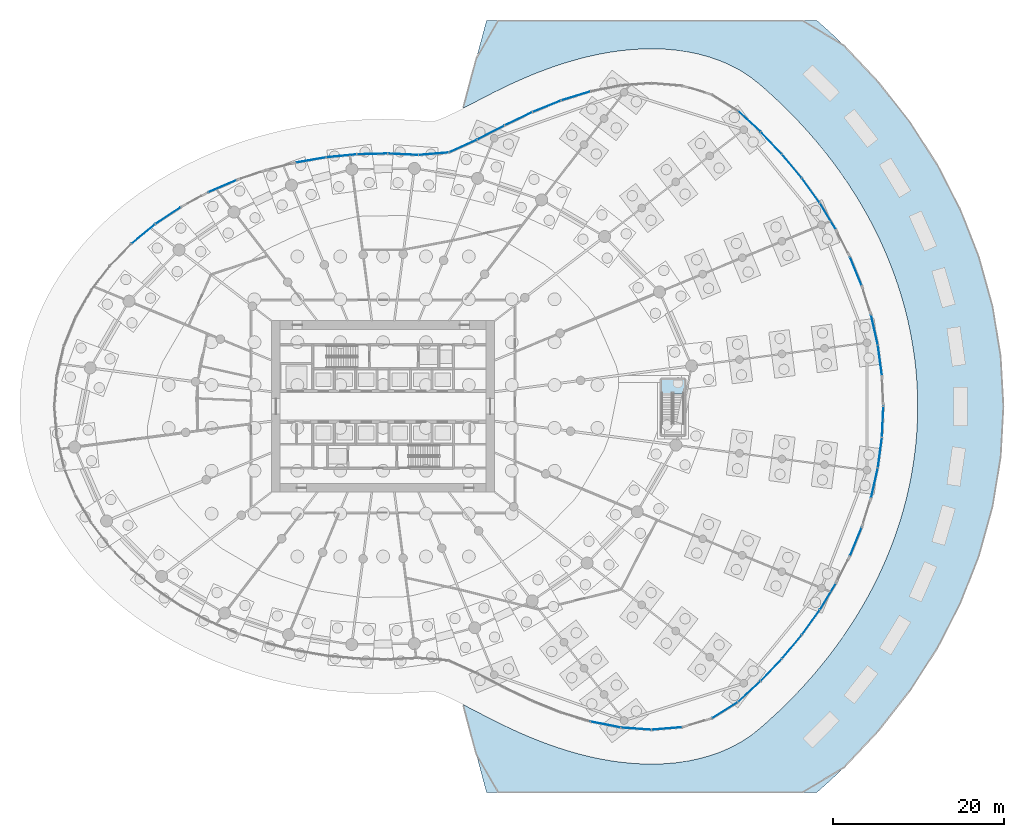
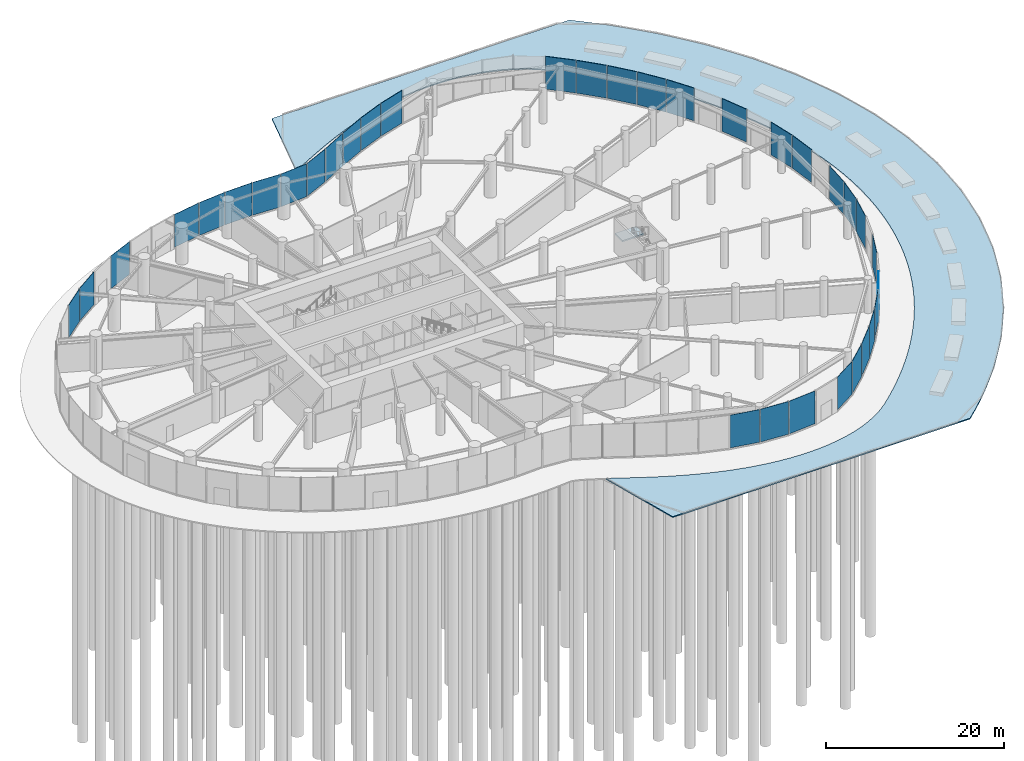
# One storey, part 15 of 28: 34 plates, 2 slabs, 10 elements without a shape of their own.
"""IFC4 building model written with IfcOpenShell, lengths in metres."""

from ifc_helpers import new_model, si_unit, direction, frame, origin, origin_2d, place, context, subcontext, project, spatial, line, indexed_curve, rectangle, outline, extrude, source, transform, mapped, material, layer, layer_set, type_object, element, aggregate, save


model = new_model("IFC4")

# Units and contexts
model_context = context("Model", 3, precision=1e-05, world=origin(), true_north=direction((0.0, 1.0)))
body_context = subcontext(model_context, "Body", "Model", "MODEL_VIEW")
ifc_project = project(units=[si_unit("LENGTHUNIT", "METRE"), si_unit("AREAUNIT", "SQUARE_METRE"), si_unit("VOLUMEUNIT", "CUBIC_METRE"), si_unit("PLANEANGLEUNIT", "RADIAN"), si_unit("MASSUNIT", "GRAM", prefix="KILO")], contexts=[model_context])

# Site, building, storey
site_placement = place(None, origin())
site = spatial("IfcSite", under=ifc_project, at=site_placement, CompositionType="ELEMENT")
building_placement = place(site_placement, origin())
building = spatial("IfcBuilding", under=site, at=building_placement, Name="Spindrift Exchange Tower", CompositionType="ELEMENT")
storey_placement = place(building_placement, origin())
storey = spatial("IfcBuildingStorey", under=building, at=storey_placement, Name="L00", CompositionType="ELEMENT", Elevation=0.0)

# Slab
ifc_material_1 = material(Name="Concrete 32 MPa precast paving", Category="concrete")
ifc_layer_1 = layer(ifc_material_1, 0.14990234375)
ifc_layer_set_1 = layer_set([ifc_layer_1], Name="GARDEN PAVING 150")
slab_type_1 = type_object("IfcSlabType", Name="GARDEN PAVING 150", PredefinedType="USERDEFINED", material=ifc_layer_set_1)
slab_1_placement = place(storey_placement, frame((0.0, 0.0, -0.14990234375)))
element("IfcSlab", 1, at=slab_1_placement, inside=storey, type_object=slab_type_1, Name="L00 Public Garden Paving 1", ObjectType="PAVING", PredefinedType="USERDEFINED", context=body_context, shape_type="SweptSolid", body=[
    extrude(outline(indexed_curve([(102.612548828125, 93.0), (104.21240234375, 91.574951171875), (105.090576171875, 90.75341796875), (105.95703125, 89.914306640625), (106.814697265625, 89.053955078125), (107.659912109375, 88.17529296875), (108.494384765625, 87.27587890625), (109.953369140625, 85.62060546875), (110.75, 84.66796875), (111.53076171875, 83.697509765625), (112.298828125, 82.704345703125), (113.048583984375, 81.69482421875), (113.783447265625, 80.663818359375), (114.50048828125, 79.61328125), (115.354736328125, 78.299560546875), (116.03173828125, 77.20361328125), (116.688232421875, 76.08935546875), (117.324462890625, 74.95556640625), (117.79736328125, 74.073486328125), (118.39306640625, 72.9091796875), (118.965087890625, 71.72802734375), (119.64111328125, 70.23779296875), (120.158203125, 69.0166015625), (120.650634765625, 67.775634765625), (121.114501953125, 66.52197265625), (121.44580078125, 65.566650390625), (121.859375, 64.28955078125), (122.243896484375, 62.997314453125), (122.6826171875, 61.362548828125), (122.998291015625, 60.043212890625), (123.282470703125, 58.71142578125), (123.533935546875, 57.37158203125), (123.69970703125, 56.36865234375), (123.9375, 54.667236328125), (124.0888671875, 53.304931640625), (124.178955078125, 52.291015625), (124.288330078125, 50.56787109375), (124.3359375, 49.195556640625), (124.348876953125, 48.17724609375), (124.326904296875, 46.44970703125), (124.270263671875, 45.077392578125), (124.178955078125, 43.708984375), (124.0888671875, 42.695068359375), (123.9375, 41.332763671875), (123.69970703125, 39.63134765625), (123.533935546875, 38.62841796875), (123.282470703125, 37.28857421875), (122.998291015625, 35.956787109375), (122.6826171875, 34.637451171875), (122.243896484375, 33.002685546875), (121.859375, 31.71044921875), (121.44580078125, 30.433349609375), (121.114501953125, 29.47802734375), (120.650634765625, 28.224365234375), (120.158203125, 26.9833984375), (119.64111328125, 25.76220703125), (119.09814453125, 24.556640625), (118.39306640625, 23.0908203125), (117.938720703125, 22.197265625), (117.324462890625, 21.04443359375), (116.539794921875, 19.654052734375), (115.879638671875, 18.545654296875), (115.354736328125, 17.700439453125), (114.658203125, 16.6240234375), (113.783447265625, 15.336181640625), (112.46240234375, 13.51220703125), (111.53076171875, 12.302490234375), (110.123779296875, 10.580078125), (109.144775390625, 9.448486328125), (107.659912109375, 7.82470703125), (106.6396484375, 6.76806640625), (105.090576171875, 5.24658203125), (104.036376953125, 4.263671875), (102.612548828125, 3.0), (64.0576171875, 3.0), (61.315185546875, 13.234619140625), (64.90771484375, 11.376708984375), (66.900390625, 10.41162109375), (67.93408203125, 9.942138671875), (68.92431640625, 9.51416015625), (70.02001953125, 9.067626953125), (71.1474609375, 8.638916015625), (72.304931640625, 8.232421875), (73.489990234375, 7.852783203125), (74.69970703125, 7.504638671875), (75.931396484375, 7.19189453125), (77.181884765625, 6.9189453125), (78.448486328125, 6.689697265625), (79.728271484375, 6.50830078125), (81.189697265625, 6.364990234375), (82.495361328125, 6.297607421875), (83.8046875, 6.290771484375), (84.90478515625, 6.3349609375), (86.194580078125, 6.44873046875), (87.7080078125, 6.6748046875), (88.739990234375, 6.891357421875), (89.98583984375, 7.228515625), (91.206787109375, 7.648681640625), (91.4775390625, 7.75537109375), (92.3955078125, 8.15576171875), (93.545654296875, 8.75439453125), (93.833251953125, 8.92333984375), (94.648193359375, 9.448974609375), (94.93798828125, 9.654541015625), (95.86279296875, 10.38232421875), (96.632568359375, 11.05322265625), (98.095458984375, 12.39404296875), (98.887939453125, 13.158935546875), (100.293212890625, 14.58837890625), (101.004150390625, 15.350830078125), (101.75244140625, 16.184326171875), (102.439697265625, 16.979736328125), (103.727294921875, 18.555908203125), (104.37548828125, 19.396484375), (105.054931640625, 20.3154296875), (106.2294921875, 22.007080078125), (106.860107421875, 22.97705078125), (107.428466796875, 23.893798828125), (107.97900390625, 24.82470703125), (108.469970703125, 25.69482421875), (108.984375, 26.652099609375), (109.479248046875, 27.623291015625), (109.95361328125, 28.60693359375), (110.443603515625, 29.68701171875), (110.87353515625, 30.697509765625), (111.28173828125, 31.720947265625), (111.635009765625, 32.6669921875), (111.997802734375, 33.710205078125), (112.364990234375, 34.85498046875), (112.677001953125, 35.91943359375), (112.964111328125, 36.993408203125), (113.22509765625, 38.074951171875), (113.4599609375, 39.164306640625), (113.650390625, 40.162353515625), (113.833740234375, 41.26318359375), (113.98974609375, 42.369384765625), (114.117919921875, 43.479736328125), (114.21826171875, 44.593994140625), (114.290283203125, 45.710693359375), (114.334228515625, 46.82958984375), (114.349609375, 47.94921875), (114.3369140625, 49.069091796875), (114.29541015625, 50.187744140625), (114.225830078125, 51.305419921875), (114.117919921875, 52.520263671875), (113.98974609375, 53.630615234375), (113.833740234375, 54.73681640625), (113.650390625, 55.837646484375), (113.4599609375, 56.835693359375), (113.22509765625, 57.925048828125), (112.964111328125, 59.006591796875), (112.677001953125, 60.08056640625), (112.364990234375, 61.14501953125), (111.997802734375, 62.289794921875), (111.635009765625, 63.3330078125), (111.28173828125, 64.279052734375), (110.87353515625, 65.302490234375), (110.443603515625, 66.31298828125), (109.95361328125, 67.39306640625), (109.479248046875, 68.376708984375), (108.984375, 69.347900390625), (108.469970703125, 70.30517578125), (107.97900390625, 71.17529296875), (107.428466796875, 72.106201171875), (106.860107421875, 73.02294921875), (106.2294921875, 73.992919921875), (105.054931640625, 75.6845703125), (104.37548828125, 76.603515625), (103.727294921875, 77.444091796875), (102.439697265625, 79.020263671875), (101.75244140625, 79.815673828125), (101.004150390625, 80.649169921875), (100.293212890625, 81.41162109375), (98.887939453125, 82.841064453125), (98.095458984375, 83.60595703125), (96.632568359375, 84.94677734375), (95.86279296875, 85.61767578125), (94.93798828125, 86.345458984375), (94.648193359375, 86.551025390625), (93.833251953125, 87.07666015625), (93.545654296875, 87.24560546875), (92.3955078125, 87.84423828125), (91.4775390625, 88.24462890625), (91.206787109375, 88.351318359375), (89.98583984375, 88.771484375), (88.739990234375, 89.108642578125), (87.7080078125, 89.3251953125), (86.194580078125, 89.55126953125), (84.90478515625, 89.6650390625), (83.8046875, 89.709228515625), (82.495361328125, 89.702392578125), (81.189697265625, 89.635009765625), (79.728271484375, 89.49169921875), (78.448486328125, 89.310302734375), (77.181884765625, 89.0810546875), (75.931396484375, 88.80810546875), (74.69970703125, 88.495361328125), (73.489990234375, 88.147216796875), (72.304931640625, 87.767578125), (71.1474609375, 87.361083984375), (70.02001953125, 86.932373046875), (68.92431640625, 86.48583984375), (67.93408203125, 86.057861328125), (66.900390625, 85.58837890625), (64.90771484375, 84.623291015625), (61.315185546875, 82.765380859375), (64.0576171875, 93.0)], segments=[line(1, 2, 3, 4, 5, 6, 7, 8, 9, 10, 11, 12, 13, 14, 15, 16, 17, 18, 19, 20, 21, 22, 23, 24, 25, 26, 27, 28, 29, 30, 31, 32, 33, 34, 35, 36, 37, 38, 39, 40, 41, 42, 43, 44, 45, 46, 47, 48, 49, 50, 51, 52, 53, 54, 55, 56, 57, 58, 59, 60, 61, 62, 63, 64, 65, 66, 67, 68, 69, 70, 71, 72, 73, 74, 75, 76, 77, 78, 79, 80, 81, 82, 83, 84, 85, 86, 87, 88, 89, 90, 91, 92, 93, 94, 95, 96, 97, 98, 99, 100, 101, 102, 103, 104, 105, 106, 107, 108, 109, 110, 111, 112, 113, 114, 115, 116, 117, 118, 119, 120, 121, 122, 123, 124, 125, 126, 127, 128, 129, 130, 131, 132, 133, 134, 135, 136, 137, 138, 139, 140, 141, 142, 143, 144, 145, 146, 147, 148, 149, 150, 151, 152, 153, 154, 155, 156, 157, 158, 159, 160, 161, 162, 163, 164, 165, 166, 167, 168, 169, 170, 171, 172, 173, 174, 175, 176, 177, 178, 179, 180, 181, 182, 183, 184, 185, 186, 187, 188, 189, 190, 191, 192, 193, 194, 195, 196, 197, 198, 199, 200, 201, 202, 203, 204, 205, 206, 207, 1)], self_intersect=False)), origin(), (0.0, 0.0, 1.0), 0.14990234375),
])

# Stair, slab
ifc_material_2 = material(Name="Concrete 50 MPa", Category="concrete")
stair_type = type_object("IfcStairType", Name="ST-1250-R179", PredefinedType="HALF_TURN_STAIR", material=ifc_material_2)
stair_placement = place(storey_placement, origin())
stair = element("IfcStair", 2, at=stair_placement, inside=storey, type_object=stair_type, Name="L00 Exit stair ST5", PredefinedType="HALF_TURN_STAIR")
ifc_layer_2 = layer(ifc_material_2, 0.199951171875)
ifc_layer_set_2 = layer_set([ifc_layer_2], Name="SL-LANDING")
slab_type_2 = type_object("IfcSlabType", Name="SL-LANDING", PredefinedType="LANDING", material=ifc_layer_set_2)
slab_2_placement = place(storey_placement, frame((0.0, 0.0, 2.300048828125)))
slab_2 = element("IfcSlab", 3, at=slab_2_placement, type_object=slab_type_2, Name="ST5 landing 1", PredefinedType="LANDING", context=body_context, shape_type="SweptSolid", body=[
    extrude(outline(indexed_curve([(84.39990234375, 49.510009765625), (84.39990234375, 51.199951171875), (87.199951171875, 51.199951171875), (87.199951171875, 49.510009765625)], segments=[line(1, 2, 3, 4, 1)], self_intersect=False)), origin(), (0.0, 0.0, 1.0), 0.199951171875),
])
aggregate(stair, [slab_2])

# Curtain wall, plate
ifc_material_3 = material(Name="Fritted laminated glass with bronze frame", Category="glass")
ifc_layer_3 = layer(ifc_material_3, 0.219970703125)
ifc_layer_set_3 = layer_set([ifc_layer_3], Name="PODIUM BRONZE GLAZED WALL")
curtain_wall_type = type_object("IfcCurtainWallType", Name="PODIUM BRONZE GLAZED WALL", PredefinedType="NOTDEFINED", material=ifc_layer_set_3)
curtain_wall_1_placement = place(storey_placement, origin())
curtain_wall_1 = element("IfcCurtainWall", 4, at=curtain_wall_1_placement, inside=storey, type_object=curtain_wall_type, Name="L00 Podium Bronze Glazed Wall run 1", PredefinedType="NOTDEFINED")
ifc_material_4 = material(Name="Bronze tinted laminated glass, clear vision", Category="glass")
ifc_layer_4 = layer(ifc_material_4, 0.0400390625)
ifc_layer_set_4 = layer_set([ifc_layer_4], Name="PODIUM BRONZE GLAZED WALL PANEL CLEAR 1920")
plate_type_1 = type_object("IfcPlateType", Name="PODIUM BRONZE GLAZED WALL PANEL CLEAR 1920", PredefinedType="CURTAIN_PANEL", material=ifc_layer_set_4)
shared_shape_1 = source(origin(), body_context, "Body", "SweptSolid", [
    extrude(rectangle(XDim=3.51220703125, YDim=0.0400390625, at=origin_2d()), origin(), (0.0, 0.0, 1.0), 4.489990234375),
])
plate_1_placement = place(storey_placement, frame((109.945556640625, 53.3837890625, 0.16015625), z_axis=(0.0, 0.0, 1.0), x_axis=(-0.13308328293, 0.991104858128, 0.0)))
plate_1 = element("IfcPlate", 5, at=plate_1_placement, type_object=plate_type_1, Name="L00 panel CW-P.2", PredefinedType="CURTAIN_PANEL", context=body_context, shape_type="MappedRepresentation", body=[
    mapped(shared_shape_1, transform((0.0, 0.0, 0.0), scale=1.0)),
])

curtain_wall_2_placement = place(storey_placement, origin())
curtain_wall_2 = element("IfcCurtainWall", 6, at=curtain_wall_2_placement, inside=storey, type_object=curtain_wall_type, Name="L00 Podium Bronze Glazed Wall run 3", PredefinedType="NOTDEFINED")
plate_2_placement = place(storey_placement, frame((74.47119140625, 84.217041015625, 0.16015625), z_axis=(0.0, 0.0, 1.0), x_axis=(-0.955457276364, -0.29512945133, 0.0)))
plate_2 = element("IfcPlate", 7, at=plate_2_placement, type_object=plate_type_1, Name="L00 panel CW-P.17", PredefinedType="CURTAIN_PANEL", context=body_context, shape_type="MappedRepresentation", body=[
    mapped(shared_shape_1, transform((0.0, 0.0, 0.0), scale=1.0)),
])

# Plate
ifc_layer_5 = layer(ifc_material_4, 0.0400390625)
ifc_layer_set_5 = layer_set([ifc_layer_5], Name="PODIUM BRONZE GLAZED WALL PANEL CLEAR 1200")
plate_type_2 = type_object("IfcPlateType", Name="PODIUM BRONZE GLAZED WALL PANEL CLEAR 1200", PredefinedType="CURTAIN_PANEL", material=ifc_layer_set_5)
shared_shape_2 = source(origin(), body_context, "Body", "SweptSolid", [
    extrude(rectangle(XDim=3.512451171875, YDim=0.0400390625, at=origin_2d()), origin(), (0.0, 0.0, 1.0), 4.489990234375),
])
plate_3_placement = place(storey_placement, frame((109.308349609375, 56.925537109375, 0.16015625), z_axis=(0.0, 0.0, 1.0), x_axis=(-0.220738289871, 0.9753330751, 0.0)))
plate_3 = element("IfcPlate", 8, at=plate_3_placement, type_object=plate_type_2, Name="L00 panel CW-P.3", PredefinedType="CURTAIN_PANEL", context=body_context, shape_type="MappedRepresentation", body=[
    mapped(shared_shape_2, transform((0.0, 0.0, 0.0), scale=1.0)),
])

# Curtain wall, plate
curtain_wall_3_placement = place(storey_placement, origin())
curtain_wall_3 = element("IfcCurtainWall", 9, at=curtain_wall_3_placement, inside=storey, type_object=curtain_wall_type, Name="L00 Podium Bronze Glazed Wall run 5", PredefinedType="NOTDEFINED")
plate_4_placement = place(storey_placement, frame((33.24169921875, 73.688232421875, 0.16015625), z_axis=(0.0, 0.0, 1.0), x_axis=(-0.917914669625, -0.396777846265, 0.0)))
plate_4 = element("IfcPlate", 10, at=plate_4_placement, type_object=plate_type_2, Name="L00 panel CW-P.29", PredefinedType="CURTAIN_PANEL", context=body_context, shape_type="MappedRepresentation", body=[
    mapped(shared_shape_2, transform((0.0, 0.0, 0.0), scale=1.0)),
])

# Plate
ifc_layer_6 = layer(ifc_material_4, 0.0400390625)
ifc_layer_set_6 = layer_set([ifc_layer_6], Name="PODIUM BRONZE GLAZED WALL PANEL CLEAR 1560")
plate_type_3 = type_object("IfcPlateType", Name="PODIUM BRONZE GLAZED WALL PANEL CLEAR 1560", PredefinedType="CURTAIN_PANEL", material=ifc_layer_set_6)
shared_shape_3 = source(origin(), body_context, "Body", "SweptSolid", [
    extrude(rectangle(XDim=3.512451171875, YDim=0.0400390625, at=origin_2d()), origin(), (0.0, 0.0, 1.0), 4.489990234375),
])
plate_5_placement = place(storey_placement, frame((107.1328125, 63.78076171875, 0.16015625), z_axis=(0.0, 0.0, 1.0), x_axis=(-0.38141082796, 0.924405636242, 0.0)))
plate_5 = element("IfcPlate", 11, at=plate_5_placement, type_object=plate_type_3, Name="L00 panel CW-P.5", PredefinedType="CURTAIN_PANEL", context=body_context, shape_type="MappedRepresentation", body=[
    mapped(shared_shape_3, transform((0.0, 0.0, 0.0), scale=1.0)),
])

aggregate(curtain_wall_1, [plate_1, plate_3, plate_5])

# Curtain wall, plate
curtain_wall_4_placement = place(storey_placement, origin())
curtain_wall_4 = element("IfcCurtainWall", 12, at=curtain_wall_4_placement, inside=storey, type_object=curtain_wall_type, Name="L00 Podium Bronze Glazed Wall run 12", PredefinedType="NOTDEFINED")
plate_6_placement = place(storey_placement, frame((107.1328125, 32.21923828125, 0.16015625), z_axis=(0.0, 0.0, 1.0), x_axis=(0.38141082796, 0.924405636242, 0.0)))
plate_6 = element("IfcPlate", 13, at=plate_6_placement, type_object=plate_type_3, Name="L00 panel CW-P.72", PredefinedType="CURTAIN_PANEL", context=body_context, shape_type="MappedRepresentation", body=[
    mapped(shared_shape_3, transform((0.0, 0.0, 0.0), scale=1.0)),
])

curtain_wall_5_placement = place(storey_placement, origin())
curtain_wall_5 = element("IfcCurtainWall", 14, at=curtain_wall_5_placement, inside=storey, type_object=curtain_wall_type, Name="L00 Podium Bronze Glazed Wall run 13", PredefinedType="NOTDEFINED")
plate_7_placement = place(storey_placement, frame((110.267578125, 46.20068359375, 0.16015625), z_axis=(0.0, 0.0, 1.0), x_axis=(0.045720409392, 0.998954275312, 0.0)))
plate_7 = element("IfcPlate", 15, at=plate_7_placement, type_object=plate_type_3, Name="L00 panel CW-P.76", PredefinedType="CURTAIN_PANEL", context=body_context, shape_type="MappedRepresentation", body=[
    mapped(shared_shape_3, transform((0.0, 0.0, 0.0), scale=1.0)),
])

# Curtain wall, plates
curtain_wall_6_placement = place(storey_placement, origin())
curtain_wall_6 = element("IfcCurtainWall", 16, at=curtain_wall_6_placement, inside=storey, type_object=curtain_wall_type, Name="L00 Podium Bronze Glazed Wall run 2", PredefinedType="NOTDEFINED")
shared_shape_4 = source(origin(), body_context, "Body", "SweptSolid", [
    extrude(rectangle(XDim=3.5126953125, YDim=0.0400390625, at=origin_2d()), origin(), (0.0, 0.0, 1.0), 4.489990234375),
])
plate_8_placement = place(storey_placement, frame((103.86962890625, 70.192138671875, 0.16015625), z_axis=(0.0, 0.0, 1.0), x_axis=(-0.521137742508, 0.853472584992, 0.0)))
plate_8 = element("IfcPlate", 17, at=plate_8_placement, type_object=plate_type_2, Name="L00 panel CW-P.7", PredefinedType="CURTAIN_PANEL", context=body_context, shape_type="MappedRepresentation", body=[
    mapped(shared_shape_4, transform((0.0, 0.0, 0.0), scale=1.0)),
])
plate_9_placement = place(storey_placement, frame((101.87939453125, 73.192138671875, 0.16015625), z_axis=(0.0, 0.0, 1.0), x_axis=(-0.583766548032, 0.811921558649, 0.0)))
plate_9 = element("IfcPlate", 18, at=plate_9_placement, type_object=plate_type_2, Name="L00 panel CW-P.8", PredefinedType="CURTAIN_PANEL", context=body_context, shape_type="MappedRepresentation", body=[
    mapped(shared_shape_4, transform((0.0, 0.0, 0.0), scale=1.0)),
])

# Plate
plate_10_placement = place(storey_placement, frame((71.080078125, 83.010498046875, 0.16015625), z_axis=(0.0, 0.0, 1.0), x_axis=(-0.927147890643, -0.374695594951, 0.0)))
plate_10 = element("IfcPlate", 19, at=plate_10_placement, type_object=plate_type_2, Name="L00 panel CW-P.18", PredefinedType="CURTAIN_PANEL", context=body_context, shape_type="MappedRepresentation", body=[
    mapped(shared_shape_4, transform((0.0, 0.0, 0.0), scale=1.0)),
])

aggregate(curtain_wall_2, [plate_2, plate_10])

plate_11_placement = place(storey_placement, frame((47.14404296875, 77.229248046875, 0.16015625), z_axis=(0.0, 0.0, 1.0), x_axis=(-0.995196694298, -0.097895554847, 0.0)))
plate_11 = element("IfcPlate", 20, at=plate_11_placement, type_object=plate_type_2, Name="L00 panel CW-P.25", PredefinedType="CURTAIN_PANEL", context=body_context, shape_type="MappedRepresentation", body=[
    mapped(shared_shape_4, transform((0.0, 0.0, 0.0), scale=1.0)),
])

plate_12_placement = place(storey_placement, frame((43.576416015625, 76.7451171875, 0.16015625), z_axis=(0.0, 0.0, 1.0), x_axis=(-0.985283758646, -0.170926636156, 0.0)))
plate_12 = element("IfcPlate", 21, at=plate_12_placement, type_object=plate_type_2, Name="L00 panel CW-P.26", PredefinedType="CURTAIN_PANEL", context=body_context, shape_type="MappedRepresentation", body=[
    mapped(shared_shape_4, transform((0.0, 0.0, 0.0), scale=1.0)),
])

aggregate(curtain_wall_3, [plate_11, plate_12, plate_4])

plate_13_placement = place(storey_placement, frame((99.676025390625, 19.960205078125, 0.16015625), z_axis=(0.0, 0.0, 1.0), x_axis=(0.639378615312, 0.768892051124, 0.0)))
plate_13 = element("IfcPlate", 22, at=plate_13_placement, type_object=plate_type_2, Name="L00 panel CW-P.68", PredefinedType="CURTAIN_PANEL", context=body_context, shape_type="MappedRepresentation", body=[
    mapped(shared_shape_4, transform((0.0, 0.0, 0.0), scale=1.0)),
])

plate_14_placement = place(storey_placement, frame((103.86962890625, 25.807861328125, 0.16015625), z_axis=(0.0, 0.0, 1.0), x_axis=(0.521137742508, 0.853472584992, 0.0)))
plate_14 = element("IfcPlate", 23, at=plate_14_placement, type_object=plate_type_2, Name="L00 panel CW-P.70", PredefinedType="CURTAIN_PANEL", context=body_context, shape_type="MappedRepresentation", body=[
    mapped(shared_shape_4, transform((0.0, 0.0, 0.0), scale=1.0)),
])

shared_shape_5 = source(origin(), body_context, "Body", "SweptSolid", [
    extrude(rectangle(XDim=3.5126953125, YDim=0.0400390625, at=origin_2d()), origin(), (0.0, 0.0, 1.0), 4.489990234375),
])
plate_15_placement = place(storey_placement, frame((99.676025390625, 76.039794921875, 0.16015625), z_axis=(0.0, 0.0, 1.0), x_axis=(-0.639378615312, 0.768892051124, 0.0)))
plate_15 = element("IfcPlate", 24, at=plate_15_placement, type_object=plate_type_3, Name="L00 panel CW-P.9", PredefinedType="CURTAIN_PANEL", context=body_context, shape_type="MappedRepresentation", body=[
    mapped(shared_shape_5, transform((0.0, 0.0, 0.0), scale=1.0)),
])

# Curtain wall, plate
curtain_wall_7_placement = place(storey_placement, origin())
curtain_wall_7 = element("IfcCurtainWall", 25, at=curtain_wall_7_placement, inside=storey, type_object=curtain_wall_type, Name="L00 Podium Bronze Glazed Wall run 4", PredefinedType="NOTDEFINED")
plate_16_placement = place(storey_placement, frame((54.337890625, 77.412353515625, 0.16015625), z_axis=(0.0, 0.0, 1.0), x_axis=(-0.998896606466, 0.046963492107, 0.0)))
plate_16 = element("IfcPlate", 26, at=plate_16_placement, type_object=plate_type_3, Name="L00 panel CW-P.23", PredefinedType="CURTAIN_PANEL", context=body_context, shape_type="MappedRepresentation", body=[
    mapped(shared_shape_5, transform((0.0, 0.0, 0.0), scale=1.0)),
])

# Plate
shared_shape_6 = source(origin(), body_context, "Body", "SweptSolid", [
    extrude(rectangle(XDim=3.512939453125, YDim=0.0400390625, at=origin_2d()), origin(), (0.0, 0.0, 1.0), 4.489990234375),
])
plate_17_placement = place(storey_placement, frame((97.281494140625, 78.728759765625, 0.16015625), z_axis=(0.0, 0.0, 1.0), x_axis=(-0.68991650653, 0.72388895144, 0.0)))
plate_17 = element("IfcPlate", 27, at=plate_17_placement, type_object=plate_type_1, Name="L00 panel CW-P.10", PredefinedType="CURTAIN_PANEL", context=body_context, shape_type="MappedRepresentation", body=[
    mapped(shared_shape_6, transform((0.0, 0.0, 0.0), scale=1.0)),
])

# Curtain wall, plate
curtain_wall_8_placement = place(storey_placement, origin())
curtain_wall_8 = element("IfcCurtainWall", 28, at=curtain_wall_8_placement, inside=storey, type_object=curtain_wall_type, Name="L00 Podium Bronze Glazed Wall run 11", PredefinedType="NOTDEFINED")
plate_18_placement = place(storey_placement, frame((94.712158203125, 14.748046875, 0.16015625), z_axis=(0.0, 0.0, 1.0), x_axis=(0.736313240542, 0.676640829246, 0.0)))
plate_18 = element("IfcPlate", 29, at=plate_18_placement, type_object=plate_type_1, Name="L00 panel CW-P.66", PredefinedType="CURTAIN_PANEL", context=body_context, shape_type="MappedRepresentation", body=[
    mapped(shared_shape_6, transform((0.0, 0.0, 0.0), scale=1.0)),
])

# Plate
shared_shape_7 = source(origin(), body_context, "Body", "SweptSolid", [
    extrude(rectangle(XDim=3.512939453125, YDim=0.0400390625, at=origin_2d()), origin(), (0.0, 0.0, 1.0), 4.489990234375),
])
plate_19_placement = place(storey_placement, frame((94.712158203125, 81.251708984375, 0.16015625), z_axis=(0.0, 0.0, 1.0), x_axis=(-0.736313240542, 0.676640829246, 0.0)))
plate_19 = element("IfcPlate", 30, at=plate_19_placement, type_object=plate_type_2, Name="L00 panel CW-P.11", PredefinedType="CURTAIN_PANEL", context=body_context, shape_type="MappedRepresentation", body=[
    mapped(shared_shape_7, transform((0.0, 0.0, 0.0), scale=1.0)),
])

aggregate(curtain_wall_6, [plate_8, plate_9, plate_15, plate_17, plate_19])

plate_20_placement = place(storey_placement, frame((50.73779296875, 77.451416015625, 0.16015625), z_axis=(0.0, 0.0, 1.0), x_axis=(-0.999679567166, -0.025313296716, 0.0)))
plate_20 = element("IfcPlate", 31, at=plate_20_placement, type_object=plate_type_2, Name="L00 panel CW-P.24", PredefinedType="CURTAIN_PANEL", context=body_context, shape_type="MappedRepresentation", body=[
    mapped(shared_shape_7, transform((0.0, 0.0, 0.0), scale=1.0)),
])

shared_shape_8 = source(origin(), body_context, "Body", "SweptSolid", [
    extrude(rectangle(XDim=3.51123046875, YDim=0.0400390625, at=origin_2d()), origin(), (0.0, 0.0, 1.0), 4.489990234375),
])
plate_21_placement = place(storey_placement, frame((77.957763671875, 10.8994140625, 0.16015625), z_axis=(0.0, 0.0, 1.0), x_axis=(0.980717121283, -0.195432668772, 0.0)))
plate_21 = element("IfcPlate", 32, at=plate_21_placement, type_object=plate_type_1, Name="L00 panel CW-P.61", PredefinedType="CURTAIN_PANEL", context=body_context, shape_type="MappedRepresentation", body=[
    mapped(shared_shape_8, transform((0.0, 0.0, 0.0), scale=1.0)),
])

shared_shape_9 = source(origin(), body_context, "Body", "SweptSolid", [
    extrude(rectangle(XDim=3.51318359375, YDim=0.0400390625, at=origin_2d()), origin(), (0.0, 0.0, 1.0), 4.489990234375),
])
plate_22_placement = place(storey_placement, frame((67.7861328125, 81.55517578125, 0.16015625), z_axis=(0.0, 0.0, 1.0), x_axis=(-0.901295644396, -0.433204526053, 0.0)))
plate_22 = element("IfcPlate", 33, at=plate_22_placement, type_object=plate_type_2, Name="L00 panel CW-P.19", PredefinedType="CURTAIN_PANEL", context=body_context, shape_type="MappedRepresentation", body=[
    mapped(shared_shape_9, transform((0.0, 0.0, 0.0), scale=1.0)),
])

shared_shape_10 = source(origin(), body_context, "Body", "SweptSolid", [
    extrude(rectangle(XDim=3.513671875, YDim=0.0400390625, at=origin_2d()), origin(), (0.0, 0.0, 1.0), 4.489990234375),
])
plate_23_placement = place(storey_placement, frame((64.563232421875, 79.944580078125, 0.16015625), z_axis=(0.0, 0.0, 1.0), x_axis=(-0.887599226457, -0.460616557663, 0.0)))
plate_23 = element("IfcPlate", 34, at=plate_23_placement, type_object=plate_type_2, Name="L00 panel CW-P.20", PredefinedType="CURTAIN_PANEL", context=body_context, shape_type="MappedRepresentation", body=[
    mapped(shared_shape_10, transform((0.0, 0.0, 0.0), scale=1.0)),
])

shared_shape_11 = source(origin(), body_context, "Body", "SweptSolid", [
    extrude(rectangle(XDim=3.51025390625, YDim=0.0400390625, at=origin_2d()), origin(), (0.0, 0.0, 1.0), 4.489990234375),
])
plate_24_placement = place(storey_placement, frame((61.32470703125, 78.370849609375, 0.16015625), z_axis=(0.0, 0.0, 1.0), x_axis=(-0.910635347362, -0.41321091967, 0.0)))
plate_24 = element("IfcPlate", 35, at=plate_24_placement, type_object=plate_type_2, Name="L00 panel CW-P.21", PredefinedType="CURTAIN_PANEL", context=body_context, shape_type="MappedRepresentation", body=[
    mapped(shared_shape_11, transform((0.0, 0.0, 0.0), scale=1.0)),
])

shared_shape_12 = source(origin(), body_context, "Body", "SweptSolid", [
    extrude(rectangle(XDim=3.470703125, YDim=0.0400390625, at=origin_2d()), origin(), (0.0, 0.0, 1.0), 4.489990234375),
])
plate_25_placement = place(storey_placement, frame((57.911376953125, 77.477294921875, 0.16015625), z_axis=(0.0, 0.0, 1.0), x_axis=(-0.996458454767, -0.084086550195, 0.0)))
plate_25 = element("IfcPlate", 36, at=plate_25_placement, type_object=plate_type_1, Name="L00 panel CW-P.22", PredefinedType="CURTAIN_PANEL", context=body_context, shape_type="MappedRepresentation", body=[
    mapped(shared_shape_12, transform((0.0, 0.0, 0.0), scale=1.0)),
])

aggregate(curtain_wall_7, [plate_22, plate_23, plate_24, plate_25, plate_16, plate_20])

# Curtain wall, plates
curtain_wall_9_placement = place(storey_placement, origin())
curtain_wall_9 = element("IfcCurtainWall", 37, at=curtain_wall_9_placement, inside=storey, type_object=curtain_wall_type, Name="L00 Podium Bronze Glazed Wall run 6", PredefinedType="NOTDEFINED")
shared_shape_13 = source(origin(), body_context, "Body", "SweptSolid", [
    extrude(rectangle(XDim=3.51220703125, YDim=0.0400390625, at=origin_2d()), origin(), (0.0, 0.0, 1.0), 4.489990234375),
])
plate_26_placement = place(storey_placement, frame((26.919921875, 70.263427734375, 0.16015625), z_axis=(0.0, 0.0, 1.0), x_axis=(-0.83206740597, -0.554674527919, 0.0)))
plate_26 = element("IfcPlate", 38, at=plate_26_placement, type_object=plate_type_2, Name="L00 panel CW-P.31", PredefinedType="CURTAIN_PANEL", context=body_context, shape_type="MappedRepresentation", body=[
    mapped(shared_shape_13, transform((0.0, 0.0, 0.0), scale=1.0)),
])
shared_shape_14 = source(origin(), body_context, "Body", "SweptSolid", [
    extrude(rectangle(XDim=3.511962890625, YDim=0.0400390625, at=origin_2d()), origin(), (0.0, 0.0, 1.0), 4.489990234375),
])
plate_27_placement = place(storey_placement, frame((24.030029296875, 68.12060546875, 0.16015625), z_axis=(0.0, 0.0, 1.0), x_axis=(-0.772398906424, -0.635137724714, 0.0)))
plate_27 = element("IfcPlate", 39, at=plate_27_placement, type_object=plate_type_2, Name="L00 panel CW-P.32", PredefinedType="CURTAIN_PANEL", context=body_context, shape_type="MappedRepresentation", body=[
    mapped(shared_shape_14, transform((0.0, 0.0, 0.0), scale=1.0)),
])
aggregate(curtain_wall_9, [plate_26, plate_27])

# Plate
shared_shape_15 = source(origin(), body_context, "Body", "SweptSolid", [
    extrude(rectangle(XDim=3.51220703125, YDim=0.0400390625, at=origin_2d()), origin(), (0.0, 0.0, 1.0), 4.489990234375),
])
plate_28_placement = place(storey_placement, frame((109.945556640625, 42.6162109375, 0.16015625), z_axis=(0.0, 0.0, 1.0), x_axis=(0.13308328293, 0.991104858128, 0.0)))
plate_28 = element("IfcPlate", 40, at=plate_28_placement, type_object=plate_type_3, Name="L00 panel CW-P.75", PredefinedType="CURTAIN_PANEL", context=body_context, shape_type="MappedRepresentation", body=[
    mapped(shared_shape_15, transform((0.0, 0.0, 0.0), scale=1.0)),
])

shared_shape_16 = source(origin(), body_context, "Body", "SweptSolid", [
    extrude(rectangle(XDim=3.5126953125, YDim=0.0400390625, at=origin_2d()), origin(), (0.0, 0.0, 1.0), 4.489990234375),
])
plate_29_placement = place(storey_placement, frame((101.87939453125, 22.807861328125, 0.16015625), z_axis=(0.0, 0.0, 1.0), x_axis=(0.583766548032, 0.811921558649, 0.0)))
plate_29 = element("IfcPlate", 41, at=plate_29_placement, type_object=plate_type_1, Name="L00 panel CW-P.69", PredefinedType="CURTAIN_PANEL", context=body_context, shape_type="MappedRepresentation", body=[
    mapped(shared_shape_16, transform((0.0, 0.0, 0.0), scale=1.0)),
])

shared_shape_17 = source(origin(), body_context, "Body", "SweptSolid", [
    extrude(rectangle(XDim=3.512939453125, YDim=0.0400390625, at=origin_2d()), origin(), (0.0, 0.0, 1.0), 4.489990234375),
])
plate_30_placement = place(storey_placement, frame((97.281494140625, 17.27099609375, 0.16015625), z_axis=(0.0, 0.0, 1.0), x_axis=(0.68991650653, 0.72388895144, 0.0)))
plate_30 = element("IfcPlate", 42, at=plate_30_placement, type_object=plate_type_3, Name="L00 panel CW-P.67", PredefinedType="CURTAIN_PANEL", context=body_context, shape_type="MappedRepresentation", body=[
    mapped(shared_shape_17, transform((0.0, 0.0, 0.0), scale=1.0)),
])

aggregate(curtain_wall_4, [plate_30, plate_13, plate_29, plate_14, plate_6])

shared_shape_18 = source(origin(), body_context, "Body", "SweptSolid", [
    extrude(rectangle(XDim=3.51025390625, YDim=0.0400390625, at=origin_2d()), origin(), (0.0, 0.0, 1.0), 4.489990234375),
])
plate_31_placement = place(storey_placement, frame((81.519287109375, 10.4189453125, 0.16015625), z_axis=(0.0, 0.0, 1.0), x_axis=(0.997447018462, -0.071410400932, 0.0)))
plate_31 = element("IfcPlate", 43, at=plate_31_placement, type_object=plate_type_1, Name="L00 panel CW-P.62", PredefinedType="CURTAIN_PANEL", context=body_context, shape_type="MappedRepresentation", body=[
    mapped(shared_shape_18, transform((0.0, 0.0, 0.0), scale=1.0)),
])

shared_shape_19 = source(origin(), body_context, "Body", "SweptSolid", [
    extrude(rectangle(XDim=3.5087890625, YDim=0.0400390625, at=origin_2d()), origin(), (0.0, 0.0, 1.0), 4.489990234375),
])
plate_32_placement = place(storey_placement, frame((85.10791015625, 10.44140625, 0.16015625), z_axis=(0.0, 0.0, 1.0), x_axis=(0.996475019122, 0.083890024826, 0.0)))
plate_32 = element("IfcPlate", 44, at=plate_32_placement, type_object=plate_type_3, Name="L00 panel CW-P.63", PredefinedType="CURTAIN_PANEL", context=body_context, shape_type="MappedRepresentation", body=[
    mapped(shared_shape_19, transform((0.0, 0.0, 0.0), scale=1.0)),
])

shared_shape_20 = source(origin(), body_context, "Body", "SweptSolid", [
    extrude(rectangle(XDim=3.498291015625, YDim=0.0400390625, at=origin_2d()), origin(), (0.0, 0.0, 1.0), 4.489990234375),
])
plate_33_placement = place(storey_placement, frame((91.864990234375, 12.5771484375, 0.16015625), z_axis=(0.0, 0.0, 1.0), x_axis=(0.847581626786, 0.530665041185, 0.0)))
plate_33 = element("IfcPlate", 45, at=plate_33_placement, type_object=plate_type_3, Name="L00 panel CW-P.65", PredefinedType="CURTAIN_PANEL", context=body_context, shape_type="MappedRepresentation", body=[
    mapped(shared_shape_20, transform((0.0, 0.0, 0.0), scale=1.0)),
])

aggregate(curtain_wall_8, [plate_21, plate_31, plate_32, plate_33, plate_18])

shared_shape_21 = source(origin(), body_context, "Body", "SweptSolid", [
    extrude(rectangle(XDim=3.512451171875, YDim=0.0400390625, at=origin_2d()), origin(), (0.0, 0.0, 1.0), 4.489990234375),
])
plate_34_placement = place(storey_placement, frame((109.308349609375, 39.074462890625, 0.16015625), z_axis=(0.0, 0.0, 1.0), x_axis=(0.220738289871, 0.9753330751, 0.0)))
plate_34 = element("IfcPlate", 46, at=plate_34_placement, type_object=plate_type_1, Name="L00 panel CW-P.74", PredefinedType="CURTAIN_PANEL", context=body_context, shape_type="MappedRepresentation", body=[
    mapped(shared_shape_21, transform((0.0, 0.0, 0.0), scale=1.0)),
])

aggregate(curtain_wall_5, [plate_34, plate_28, plate_7])

save(model, "model.ifc")
